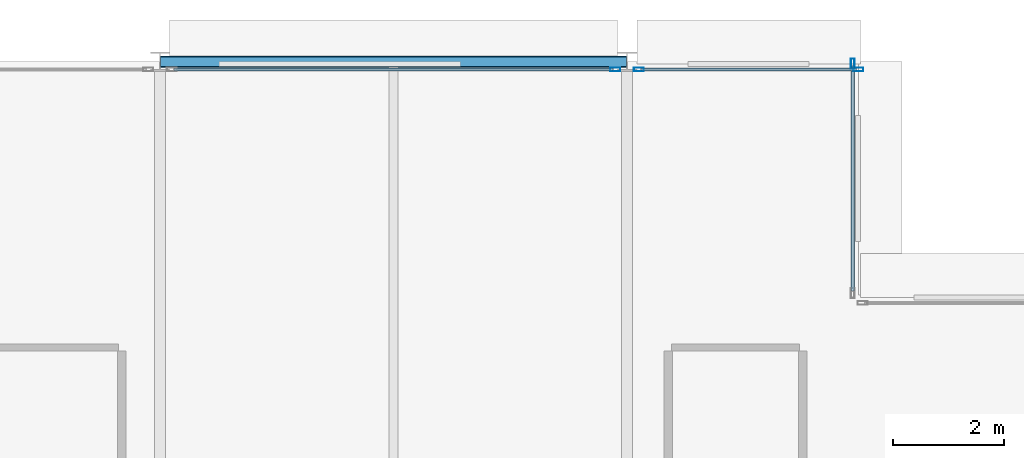
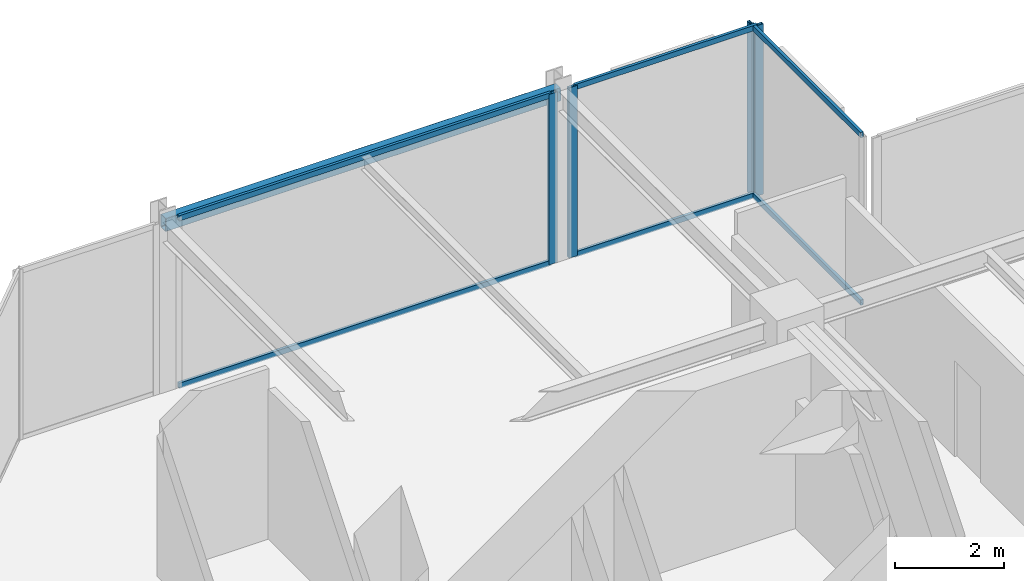
# One storey, part 21 of 29: 10 members, 1 beam, 3 elements without a shape of their own.
"""IFC4 building model written with IfcOpenShell, lengths in metres."""

from ifc_helpers import new_model, si_unit, direction, frame, origin, origin_2d, place, context, subcontext, project, spatial, hollow_rectangle, extrude, material, layer, layer_set, material_profile, profile_set, type_object, element, aggregate, save


model = new_model("IFC4")

# Units and contexts
model_context = context("Model", 3, precision=1e-05, world=origin(), true_north=direction((0.0, 1.0)))
body_context = subcontext(model_context, "Body", "Model", "MODEL_VIEW")
ifc_project = project(units=[si_unit("LENGTHUNIT", "METRE"), si_unit("AREAUNIT", "SQUARE_METRE"), si_unit("VOLUMEUNIT", "CUBIC_METRE"), si_unit("PLANEANGLEUNIT", "RADIAN"), si_unit("MASSUNIT", "GRAM", prefix="KILO")], contexts=[model_context])

# Site, building, storey
site_placement = place(None, origin())
site = spatial("IfcSite", under=ifc_project, at=site_placement, CompositionType="ELEMENT")
building_placement = place(site_placement, origin())
building = spatial("IfcBuilding", under=site, at=building_placement, Name="Nerrivon Quay Data Exchange", CompositionType="ELEMENT")
storey_placement = place(building_placement, frame((0.0, 0.0, 204.199951171875)))
storey = spatial("IfcBuildingStorey", under=building, at=storey_placement, Name="L48", CompositionType="ELEMENT", Elevation=204.199951171875)

# Beam
ifc_material_1 = material(Name="Steel Grade C350L0 (350 MPa)", Category="steel")
ifc_material_profile_1 = material_profile(ifc_material_1, hollow_rectangle(XDim=0.199951171875, YDim=0.300048828125, WallThickness=0.012451171875, InnerFilletRadius=0.018798828125, OuterFilletRadius=0.03125, at=origin_2d()), Name="300x200x12.5RHS")
ifc_profile_set_1 = profile_set([ifc_material_profile_1], Name="Steel Grade C350L0 (350 MPa)")
beam_type = type_object("IfcBeamType", Name="BM-SP3-300x200RHS", PredefinedType="SPANDREL", material=ifc_profile_set_1)
beam_placement = place(storey_placement, frame((8.409912109375, 50.39990234375, 3.675048828125), z_axis=(1.0, 0.0, 0.0), x_axis=(0.0, 1.0, 0.0)))
element("IfcBeam", 1, at=beam_placement, inside=storey, type_object=beam_type, Name="L48 EW Girder Y=50.4 (8.4..16.8)", PredefinedType="SPANDREL", context=body_context, shape_type="SweptSolid", body=[
    extrude(hollow_rectangle(XDim=0.199951171875, YDim=0.300048828125, WallThickness=0.012451171875, InnerFilletRadius=0.018798828125, OuterFilletRadius=0.03125, at=origin_2d()), origin(), (0.0, 0.0, 1.0), 8.380126953125),
])

# Curtain wall, member
ifc_material_2 = material(Name="Anodised aluminium 6063-T6", Category="aluminium")
ifc_layer = layer(ifc_material_2, 0.195068359375)
ifc_layer_set = layer_set([ifc_layer], Name="Anodised aluminium 6063-T6")
curtain_wall_type = type_object("IfcCurtainWallType", Name="CW-SYS-06", PredefinedType="NOTDEFINED", material=ifc_layer_set)
curtain_wall_1_placement = place(storey_placement, origin())
curtain_wall_1 = element("IfcCurtainWall", 2, at=curtain_wall_1_placement, inside=storey, type_object=curtain_wall_type, Name="L48 Unitised Curtain Wall 9", PredefinedType="NOTDEFINED")
ifc_material_profile_2 = material_profile(ifc_material_2, hollow_rectangle(XDim=0.06494140625, YDim=0.179931640625, WallThickness=0.00341796875, at=origin_2d()), Name="ALU-MULL-180x65")
ifc_profile_set_2 = profile_set([ifc_material_profile_2], Name="Anodised aluminium 6063-T6")
member_type_1 = type_object("IfcMemberType", Name="CWM-180x65", PredefinedType="MULLION", material=ifc_profile_set_2)
member_1_placement = place(storey_placement, frame((16.58740234375, 50.260009765625, 0.0), z_axis=(0.0, 0.0, 1.0), x_axis=(0.0, 1.0, 0.0)))
member_1 = element("IfcMember", 3, at=member_1_placement, type_object=member_type_1, Name="CW06 mullion 2", PredefinedType="MULLION", context=body_context, shape_type="SweptSolid", body=[
    extrude(hollow_rectangle(XDim=0.06494140625, YDim=0.179931640625, WallThickness=0.00341796875, at=origin_2d()), origin(), (0.0, 0.0, 1.0), 3.824951171875),
])

# Curtain wall, members
curtain_wall_2_placement = place(storey_placement, origin())
curtain_wall_2 = element("IfcCurtainWall", 4, at=curtain_wall_2_placement, inside=storey, type_object=curtain_wall_type, Name="L48 Unitised Curtain Wall 10", PredefinedType="NOTDEFINED")
member_2_placement = place(storey_placement, frame((17.012451171875, 50.260009765625, 0.0), z_axis=(0.0, 0.0, 1.0), x_axis=(0.0, 1.0, 0.0)))
member_2 = element("IfcMember", 5, at=member_2_placement, type_object=member_type_1, Name="CW06 mullion 1", PredefinedType="MULLION", context=body_context, shape_type="SweptSolid", body=[
    extrude(hollow_rectangle(XDim=0.06494140625, YDim=0.179931640625, WallThickness=0.00341796875, at=origin_2d()), origin(), (0.0, 0.0, 1.0), 3.824951171875),
])
member_3_placement = place(storey_placement, frame((20.96240234375, 50.260009765625, 0.0), z_axis=(0.0, 0.0, 1.0), x_axis=(0.0, 1.0, 0.0)))
member_3 = element("IfcMember", 6, at=member_3_placement, type_object=member_type_1, Name="CW06 mullion 2", PredefinedType="MULLION", context=body_context, shape_type="SweptSolid", body=[
    extrude(hollow_rectangle(XDim=0.06494140625, YDim=0.179931640625, WallThickness=0.00341796875, at=origin_2d()), origin(), (0.0, 0.0, 1.0), 3.824951171875),
])

# Curtain wall, member
curtain_wall_3_placement = place(storey_placement, origin())
curtain_wall_3 = element("IfcCurtainWall", 7, at=curtain_wall_3_placement, inside=storey, type_object=curtain_wall_type, Name="L48 Unitised Curtain Wall 11", PredefinedType="NOTDEFINED")
member_4_placement = place(storey_placement, frame((20.860107421875, 50.362548828125, 0.0), z_axis=(0.0, 0.0, 1.0), x_axis=(1.0, 0.0, 0.0)))
member_4 = element("IfcMember", 8, at=member_4_placement, type_object=member_type_1, Name="CW06 mullion 1", PredefinedType="MULLION", context=body_context, shape_type="SweptSolid", body=[
    extrude(hollow_rectangle(XDim=0.06494140625, YDim=0.179931640625, WallThickness=0.00341796875, at=origin_2d()), origin(), (0.0, 0.0, 1.0), 3.824951171875),
])

# Member
ifc_material_profile_3 = material_profile(ifc_material_2, hollow_rectangle(XDim=0.06005859375, YDim=0.1201171875, WallThickness=0.003173828125, at=origin_2d()), Name="ALU-TRAN-120x60")
ifc_profile_set_3 = profile_set([ifc_material_profile_3], Name="Anodised aluminium 6063-T6")
member_type_2 = type_object("IfcMemberType", Name="CWT-120x60", PredefinedType="USERDEFINED", material=ifc_profile_set_3)
member_5_placement = place(storey_placement, frame((8.64990234375, 50.260009765625, 0.032470703125), z_axis=(1.0, 0.0, 0.0), x_axis=(0.0, 1.0, 0.0)))
member_5 = element("IfcMember", 9, at=member_5_placement, type_object=member_type_2, Name="CW06 transom 1.1", ObjectType="TRANSOM", PredefinedType="USERDEFINED", context=body_context, shape_type="SweptSolid", body=[
    extrude(hollow_rectangle(XDim=0.06005859375, YDim=0.1201171875, WallThickness=0.003173828125, at=origin_2d()), origin(), (0.0, 0.0, 1.0), 7.900146484375),
])

member_6_placement = place(storey_placement, frame((8.64990234375, 50.260009765625, 3.79248046875), z_axis=(1.0, 0.0, 0.0), x_axis=(0.0, 1.0, 0.0)))
member_6 = element("IfcMember", 10, at=member_6_placement, type_object=member_type_2, Name="CW06 transom 1.2", ObjectType="TRANSOM", PredefinedType="USERDEFINED", context=body_context, shape_type="SweptSolid", body=[
    extrude(hollow_rectangle(XDim=0.06005859375, YDim=0.1201171875, WallThickness=0.003173828125, at=origin_2d()), origin(), (0.0, 0.0, 1.0), 7.900146484375),
])

aggregate(curtain_wall_1, [member_1, member_5, member_6])

member_7_placement = place(storey_placement, frame((17.050048828125, 50.260009765625, 0.032470703125), z_axis=(1.0, 0.0, 0.0), x_axis=(0.0, 1.0, 0.0)))
member_7 = element("IfcMember", 11, at=member_7_placement, type_object=member_type_2, Name="CW06 transom 1.1", ObjectType="TRANSOM", PredefinedType="USERDEFINED", context=body_context, shape_type="SweptSolid", body=[
    extrude(hollow_rectangle(XDim=0.06005859375, YDim=0.1201171875, WallThickness=0.003173828125, at=origin_2d()), origin(), (0.0, 0.0, 1.0), 3.875),
])

member_8_placement = place(storey_placement, frame((17.050048828125, 50.260009765625, 3.79248046875), z_axis=(1.0, 0.0, 0.0), x_axis=(0.0, 1.0, 0.0)))
member_8 = element("IfcMember", 12, at=member_8_placement, type_object=member_type_2, Name="CW06 transom 1.2", ObjectType="TRANSOM", PredefinedType="USERDEFINED", context=body_context, shape_type="SweptSolid", body=[
    extrude(hollow_rectangle(XDim=0.06005859375, YDim=0.1201171875, WallThickness=0.003173828125, at=origin_2d()), origin(), (0.0, 0.0, 1.0), 3.875),
])

aggregate(curtain_wall_2, [member_2, member_3, member_7, member_8])

member_9_placement = place(storey_placement, frame((20.860107421875, 50.324951171875, 0.032470703125), z_axis=(0.0, -1.0, 0.0), x_axis=(1.0, 0.0, 0.0)))
member_9 = element("IfcMember", 13, at=member_9_placement, type_object=member_type_2, Name="CW06 transom 1.1", ObjectType="TRANSOM", PredefinedType="USERDEFINED", context=body_context, shape_type="SweptSolid", body=[
    extrude(hollow_rectangle(XDim=0.06005859375, YDim=0.1201171875, WallThickness=0.003173828125, at=origin_2d()), origin(), (0.0, 0.0, 1.0), 4.050048828125),
])

member_10_placement = place(storey_placement, frame((20.860107421875, 50.324951171875, 3.79248046875), z_axis=(0.0, -1.0, 0.0), x_axis=(1.0, 0.0, 0.0)))
member_10 = element("IfcMember", 14, at=member_10_placement, type_object=member_type_2, Name="CW06 transom 1.2", ObjectType="TRANSOM", PredefinedType="USERDEFINED", context=body_context, shape_type="SweptSolid", body=[
    extrude(hollow_rectangle(XDim=0.06005859375, YDim=0.1201171875, WallThickness=0.003173828125, at=origin_2d()), origin(), (0.0, 0.0, 1.0), 4.050048828125),
])

aggregate(curtain_wall_3, [member_4, member_9, member_10])

save(model, "model.ifc")
